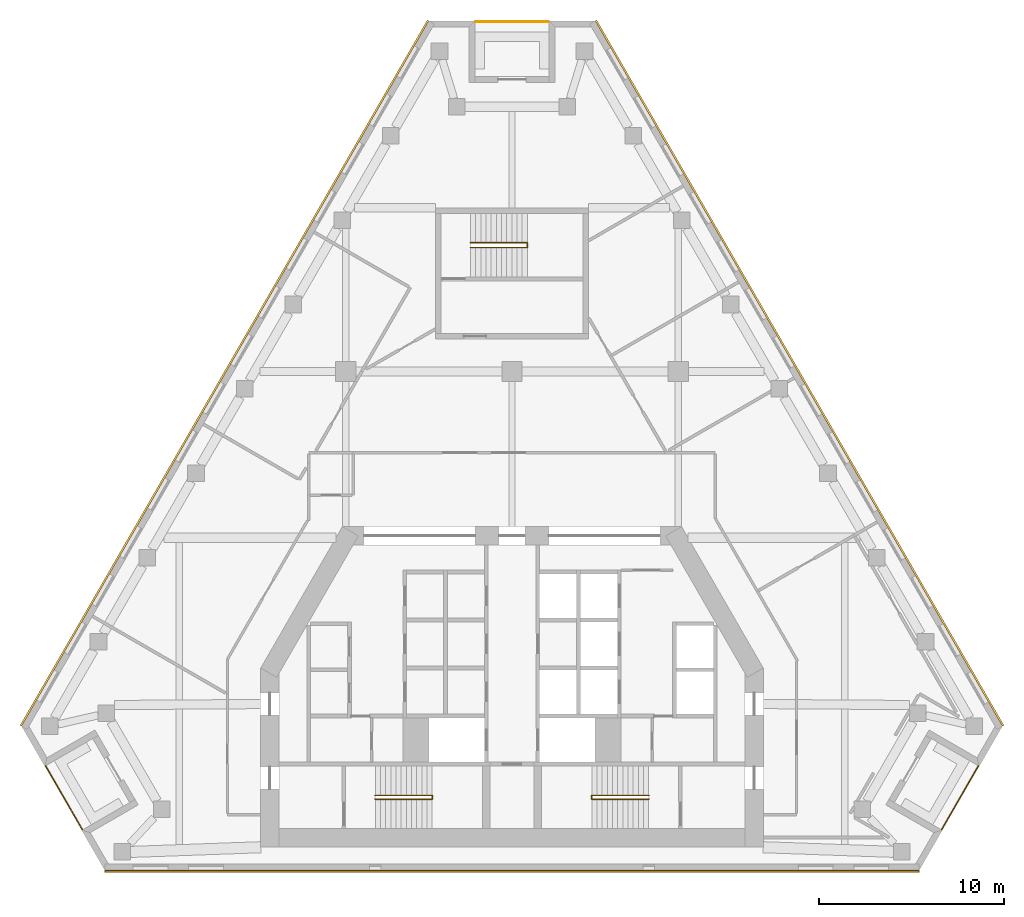
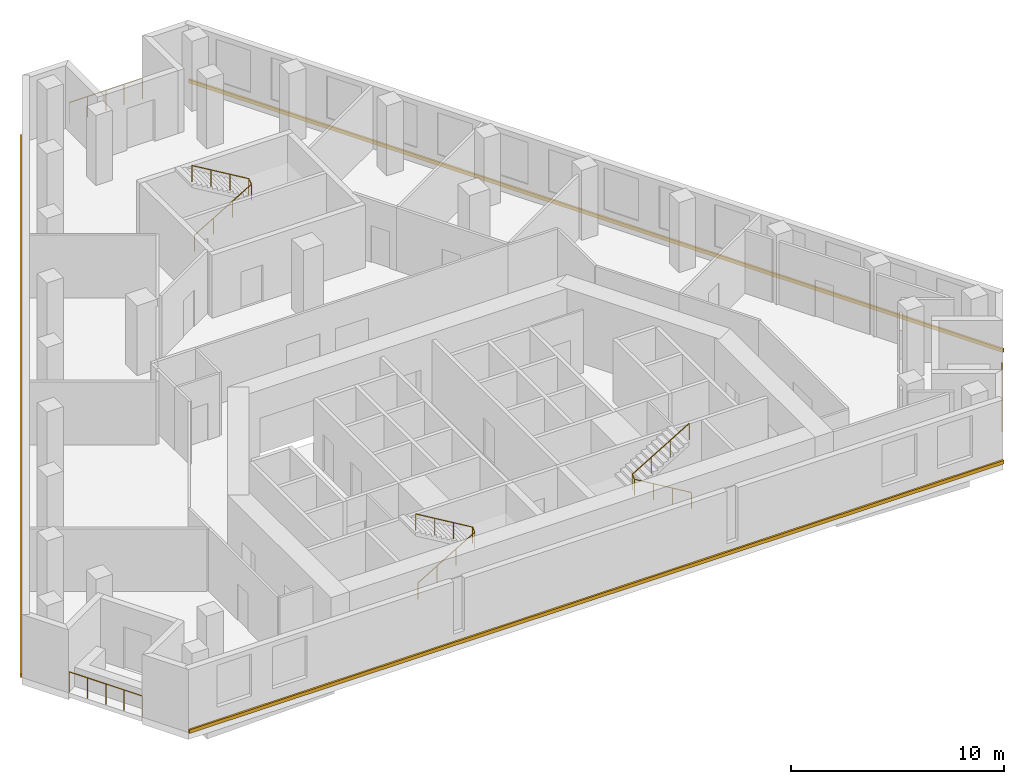
# One storey, part 8 of 8: 6 railings, 3 coverings.
"""IFC4 building model written with IfcOpenShell, lengths in metres."""

from ifc_helpers import new_model, si_unit, direction, frame, origin, origin_2d, place, context, subcontext, project, spatial, polyline, circle, outline, extrude, material, type_object, element, save


model = new_model("IFC4")

# Units and contexts
model_context = context("Model", 3, precision=1e-05, world=origin(), true_north=direction((0.0, 1.0)))
body_context = subcontext(model_context, "Body", "Model", "MODEL_VIEW")
ifc_project = project(units=[si_unit("LENGTHUNIT", "METRE"), si_unit("AREAUNIT", "SQUARE_METRE"), si_unit("VOLUMEUNIT", "CUBIC_METRE"), si_unit("PLANEANGLEUNIT", "RADIAN"), si_unit("MASSUNIT", "GRAM", prefix="KILO")], contexts=[model_context])

# Site, building, storey
site_placement = place(None, origin())
site = spatial("IfcSite", under=ifc_project, at=site_placement, CompositionType="ELEMENT")
building_placement = place(site_placement, origin())
building = spatial("IfcBuilding", under=site, at=building_placement, Name="Fogline Exchange Tower", CompositionType="ELEMENT")
storey_placement = place(building_placement, frame((0.0, 0.0, 239.5)))
storey = spatial("IfcBuildingStorey", under=building, at=storey_placement, Name="L54", CompositionType="ELEMENT", Elevation=239.5)

# Railings
ifc_material_1 = material(Name="Stainless steel 304", Category="steel")
railing_type_1 = type_object("IfcRailingType", Name="G1", PredefinedType="GUARDRAIL", material=ifc_material_1)
railing_1_placement = place(storey_placement, frame((-25.23779296875, 5.635986328125, 0.0)))
element("IfcRailing", 1, at=railing_1_placement, inside=storey, type_object=railing_type_1, Name="Balcony guard L54 SW", PredefinedType="GUARDRAIL", context=body_context, shape_type="SweptSolid", body=[
    extrude(circle(Radius=0.02392578125, at=origin_2d()), frame((0.0, 0.0, 1.17578125), z_axis=(0.500000102728, -0.866025344474, 0.0), x_axis=(0.866025344474, 0.500000102728, 0.0)), (0.0, 0.0, 1.0), 3.9580078125),
    extrude(circle(Radius=0.02099609375, at=origin_2d()), origin(), (0.0, 0.0, 1.0), 1.15185546875),
    extrude(circle(Radius=0.02099609375, at=origin_2d()), frame((0.49462890625, -0.85693359375, 0.0)), (0.0, 0.0, 1.0), 1.15185546875),
    extrude(circle(Radius=0.02099609375, at=origin_2d()), frame((0.989501953125, -1.7138671875, 0.0)), (0.0, 0.0, 1.0), 1.15185546875),
    extrude(circle(Radius=0.02099609375, at=origin_2d()), frame((1.484375, -2.57080078125, 0.0)), (0.0, 0.0, 1.0), 1.15185546875),
    extrude(circle(Radius=0.02099609375, at=origin_2d()), frame((1.97900390625, -3.427734375, 0.0)), (0.0, 0.0, 1.0), 1.15185546875),
])
railing_2_placement = place(storey_placement, frame((23.2587890625, 2.208251953125, 0.0)))
element("IfcRailing", 2, at=railing_2_placement, inside=storey, type_object=railing_type_1, Name="Balcony guard L54 SE", PredefinedType="GUARDRAIL", context=body_context, shape_type="SweptSolid", body=[
    extrude(circle(Radius=0.02392578125, at=origin_2d()), frame((0.0, 0.0, 1.17578125), z_axis=(0.500000102728, 0.866025344474, 0.0), x_axis=(-0.866025344474, 0.500000102728, 0.0)), (0.0, 0.0, 1.0), 3.9580078125),
    extrude(circle(Radius=0.02099609375, at=origin_2d()), origin(), (0.0, 0.0, 1.0), 1.15185546875),
    extrude(circle(Radius=0.02099609375, at=origin_2d()), frame((0.49462890625, 0.85693359375, 0.0)), (0.0, 0.0, 1.0), 1.15185546875),
    extrude(circle(Radius=0.02099609375, at=origin_2d()), frame((0.989501953125, 1.7138671875, 0.0)), (0.0, 0.0, 1.0), 1.15185546875),
    extrude(circle(Radius=0.02099609375, at=origin_2d()), frame((1.484375, 2.57080078125, 0.0)), (0.0, 0.0, 1.0), 1.15185546875),
    extrude(circle(Radius=0.02099609375, at=origin_2d()), frame((1.97900390625, 3.427734375, 0.0)), (0.0, 0.0, 1.0), 1.15185546875),
])
railing_3_placement = place(storey_placement, frame((1.97900390625, 45.921630859375, 0.0)))
element("IfcRailing", 3, at=railing_3_placement, inside=storey, type_object=railing_type_1, Name="Balcony guard L54 N", PredefinedType="GUARDRAIL", context=body_context, shape_type="SweptSolid", body=[
    extrude(circle(Radius=0.02392578125, at=origin_2d()), frame((0.0, 0.0, 1.17578125), z_axis=(-1.0, 0.0, 0.0), x_axis=(0.0, -1.0, 0.0)), (0.0, 0.0, 1.0), 3.9580078125),
    extrude(circle(Radius=0.02099609375, at=origin_2d()), origin(), (0.0, 0.0, 1.0), 1.15185546875),
    extrude(circle(Radius=0.02099609375, at=origin_2d()), frame((-0.989501953125, 0.0, 0.0)), (0.0, 0.0, 1.0), 1.15185546875),
    extrude(circle(Radius=0.02099609375, at=origin_2d()), frame((-1.97900390625, 0.0, 0.0)), (0.0, 0.0, 1.0), 1.15185546875),
    extrude(circle(Radius=0.02099609375, at=origin_2d()), frame((-2.968505859375, 0.0, 0.0)), (0.0, 0.0, 1.0), 1.15185546875),
    extrude(circle(Radius=0.02099609375, at=origin_2d()), frame((-3.9580078125, 0.0, 0.0)), (0.0, 0.0, 1.0), 1.15185546875),
])
ifc_material_2 = material(Name="Steel Q235B", Category="steel")
railing_type_2 = type_object("IfcRailingType", Name="RL-HR", PredefinedType="HANDRAIL", material=ifc_material_2)
railing_4_placement = place(storey_placement, frame((-7.39990234375, 3.85009765625, 0.166748046875)))
element("IfcRailing", 4, at=railing_4_placement, inside=storey, type_object=railing_type_2, Name="Handrail ST1", PredefinedType="HANDRAIL", context=body_context, shape_type="SweptSolid", body=[
    extrude(circle(Radius=0.02392578125, at=origin_2d()), frame((0.0, 0.0, 0.92578125), z_axis=(0.859290745958, 0.0, 0.51148745235), x_axis=(0.0, 1.0, 0.0)), (0.0, 0.0, 1.0), 3.584228515625),
    extrude(circle(Radius=0.02392578125, at=origin_2d()), frame((3.079833984375, 0.0, 2.75927734375), z_axis=(0.0, 0.767990643491, 0.640461061666), x_axis=(-1.0, 0.0, 0.0)), (0.0, 0.0, 1.0), 0.26025390625),
    extrude(circle(Radius=0.02392578125, at=origin_2d()), frame((3.079833984375, 0.199951171875, 2.92578125), z_axis=(-0.859290745958, 0.0, 0.51148745235), x_axis=(0.0, -1.0, 0.0)), (0.0, 0.0, 1.0), 3.584228515625),
    extrude(circle(Radius=0.02099609375, at=origin_2d()), origin(), (0.0, 0.0, 1.0), 0.90185546875),
    extrude(circle(Radius=0.02099609375, at=origin_2d()), frame((1.026611328125, 0.0, 0.611083984375)), (0.0, 0.0, 1.0), 0.90185546875),
    extrude(circle(Radius=0.02099609375, at=origin_2d()), frame((2.05322265625, 0.0, 1.22216796875)), (0.0, 0.0, 1.0), 0.90185546875),
    extrude(circle(Radius=0.02099609375, at=origin_2d()), frame((3.079833984375, 0.0, 1.833251953125)), (0.0, 0.0, 1.0), 0.90185546875),
    extrude(circle(Radius=0.02099609375, at=origin_2d()), frame((3.079833984375, 0.199951171875, 2.0)), (0.0, 0.0, 1.0), 0.90185546875),
    extrude(circle(Radius=0.02099609375, at=origin_2d()), frame((2.05322265625, 0.199951171875, 2.611083984375)), (0.0, 0.0, 1.0), 0.90185546875),
    extrude(circle(Radius=0.02099609375, at=origin_2d()), frame((1.026611328125, 0.199951171875, 3.22216796875)), (0.0, 0.0, 1.0), 0.90185546875),
    extrude(circle(Radius=0.02099609375, at=origin_2d()), frame((0.0, 0.199951171875, 3.833251953125)), (0.0, 0.0, 1.0), 0.90185546875),
])
railing_5_placement = place(storey_placement, frame((7.39990234375, 3.85009765625, 0.166748046875)))
element("IfcRailing", 5, at=railing_5_placement, inside=storey, type_object=railing_type_2, Name="Handrail ST2", PredefinedType="HANDRAIL", context=body_context, shape_type="SweptSolid", body=[
    extrude(circle(Radius=0.02392578125, at=origin_2d()), frame((0.0, 0.0, 0.92578125), z_axis=(-0.859290745958, 0.0, 0.51148745235), x_axis=(0.0, -1.0, 0.0)), (0.0, 0.0, 1.0), 3.584228515625),
    extrude(circle(Radius=0.02392578125, at=origin_2d()), frame((-3.079833984375, 0.0, 2.75927734375), z_axis=(0.0, 0.767990643491, 0.640461061666), x_axis=(-1.0, 0.0, 0.0)), (0.0, 0.0, 1.0), 0.26025390625),
    extrude(circle(Radius=0.02392578125, at=origin_2d()), frame((-3.079833984375, 0.199951171875, 2.92578125), z_axis=(0.859290745958, 0.0, 0.51148745235), x_axis=(0.0, 1.0, 0.0)), (0.0, 0.0, 1.0), 3.584228515625),
    extrude(circle(Radius=0.02099609375, at=origin_2d()), origin(), (0.0, 0.0, 1.0), 0.90185546875),
    extrude(circle(Radius=0.02099609375, at=origin_2d()), frame((-1.026611328125, 0.0, 0.611083984375)), (0.0, 0.0, 1.0), 0.90185546875),
    extrude(circle(Radius=0.02099609375, at=origin_2d()), frame((-2.05322265625, 0.0, 1.22216796875)), (0.0, 0.0, 1.0), 0.90185546875),
    extrude(circle(Radius=0.02099609375, at=origin_2d()), frame((-3.079833984375, 0.0, 1.833251953125)), (0.0, 0.0, 1.0), 0.90185546875),
    extrude(circle(Radius=0.02099609375, at=origin_2d()), frame((-3.079833984375, 0.199951171875, 2.0)), (0.0, 0.0, 1.0), 0.90185546875),
    extrude(circle(Radius=0.02099609375, at=origin_2d()), frame((-2.05322265625, 0.199951171875, 2.611083984375)), (0.0, 0.0, 1.0), 0.90185546875),
    extrude(circle(Radius=0.02099609375, at=origin_2d()), frame((-1.026611328125, 0.199951171875, 3.22216796875)), (0.0, 0.0, 1.0), 0.90185546875),
    extrude(circle(Radius=0.02099609375, at=origin_2d()), frame((0.0, 0.199951171875, 3.833251953125)), (0.0, 0.0, 1.0), 0.90185546875),
])
railing_6_placement = place(storey_placement, frame((-2.25, 33.70703125, 0.166748046875)))
element("IfcRailing", 6, at=railing_6_placement, inside=storey, type_object=railing_type_2, Name="Handrail ST3", PredefinedType="HANDRAIL", context=body_context, shape_type="SweptSolid", body=[
    extrude(circle(Radius=0.02392578125, at=origin_2d()), frame((0.0, 0.0, 0.92578125), z_axis=(0.859308565015, 0.0, 0.511457515432), x_axis=(0.0, 1.0, 0.0)), (0.0, 0.0, 1.0), 3.58447265625),
    extrude(circle(Radius=0.02392578125, at=origin_2d()), frame((3.080078125, 0.0, 2.75927734375), z_axis=(0.0, 0.831925284441, 0.554887665306), x_axis=(-1.0, 0.0, 0.0)), (0.0, 0.0, 1.0), 0.300537109375),
    extrude(circle(Radius=0.02392578125, at=origin_2d()), frame((3.080078125, 0.25, 2.92578125), z_axis=(-0.859308565015, 0.0, 0.511457515432), x_axis=(0.0, -1.0, 0.0)), (0.0, 0.0, 1.0), 3.58447265625),
    extrude(circle(Radius=0.02099609375, at=origin_2d()), origin(), (0.0, 0.0, 1.0), 0.90185546875),
    extrude(circle(Radius=0.02099609375, at=origin_2d()), frame((1.026611328125, 0.0, 0.611083984375)), (0.0, 0.0, 1.0), 0.90185546875),
    extrude(circle(Radius=0.02099609375, at=origin_2d()), frame((2.053466796875, 0.0, 1.22216796875)), (0.0, 0.0, 1.0), 0.90185546875),
    extrude(circle(Radius=0.02099609375, at=origin_2d()), frame((3.080078125, 0.0, 1.833251953125)), (0.0, 0.0, 1.0), 0.90185546875),
    extrude(circle(Radius=0.02099609375, at=origin_2d()), frame((3.080078125, 0.25, 2.0)), (0.0, 0.0, 1.0), 0.90185546875),
    extrude(circle(Radius=0.02099609375, at=origin_2d()), frame((2.053466796875, 0.25, 2.611083984375)), (0.0, 0.0, 1.0), 0.90185546875),
    extrude(circle(Radius=0.02099609375, at=origin_2d()), frame((1.026611328125, 0.25, 3.22216796875)), (0.0, 0.0, 1.0), 0.90185546875),
    extrude(circle(Radius=0.02099609375, at=origin_2d()), frame((0.0, 0.25, 3.833251953125)), (0.0, 0.0, 1.0), 0.90185546875),
])

# Coverings
ifc_material_3 = material(Name="Brick masonry", Category="masonry")
covering_type = type_object("IfcCoveringType", Name="SB1", PredefinedType="CLADDING", material=ifc_material_3)
covering_1_placement = place(storey_placement, origin())
element("IfcCovering", 7, at=covering_1_placement, inside=storey, type_object=covering_type, Name="Stringcourse band L54 S", PredefinedType="CLADDING", context=body_context, shape_type="SweptSolid", body=[
    extrude(outline(polyline([(-22.041748046875, 0.0), (-22.041748046875, -0.10009765625), (22.041748046875, -0.10009765625), (22.041748046875, 0.0), (-22.041748046875, 0.0)])), origin(), (0.0, 0.0, 1.0), 0.199951171875),
])
covering_2_placement = place(storey_placement, origin())
element("IfcCovering", 8, at=covering_2_placement, inside=storey, type_object=covering_type, Name="Stringcourse band L54 E", PredefinedType="CLADDING", context=body_context, shape_type="SweptSolid", body=[
    extrude(outline(polyline([(26.541748046875, 7.794189453125), (26.62841796875, 7.84423828125), (4.586669921875, 46.021728515625), (4.5, 45.9716796875), (26.541748046875, 7.794189453125)])), origin(), (0.0, 0.0, 1.0), 0.199951171875),
])
covering_3_placement = place(storey_placement, origin())
element("IfcCovering", 9, at=covering_3_placement, inside=storey, type_object=covering_type, Name="Stringcourse band L54 W", PredefinedType="CLADDING", context=body_context, shape_type="SweptSolid", body=[
    extrude(outline(polyline([(-4.5, 45.9716796875), (-4.586669921875, 46.021728515625), (-26.62841796875, 7.84423828125), (-26.541748046875, 7.794189453125), (-4.5, 45.9716796875)])), origin(), (0.0, 0.0, 1.0), 0.199951171875),
])

save(model, "model.ifc")
